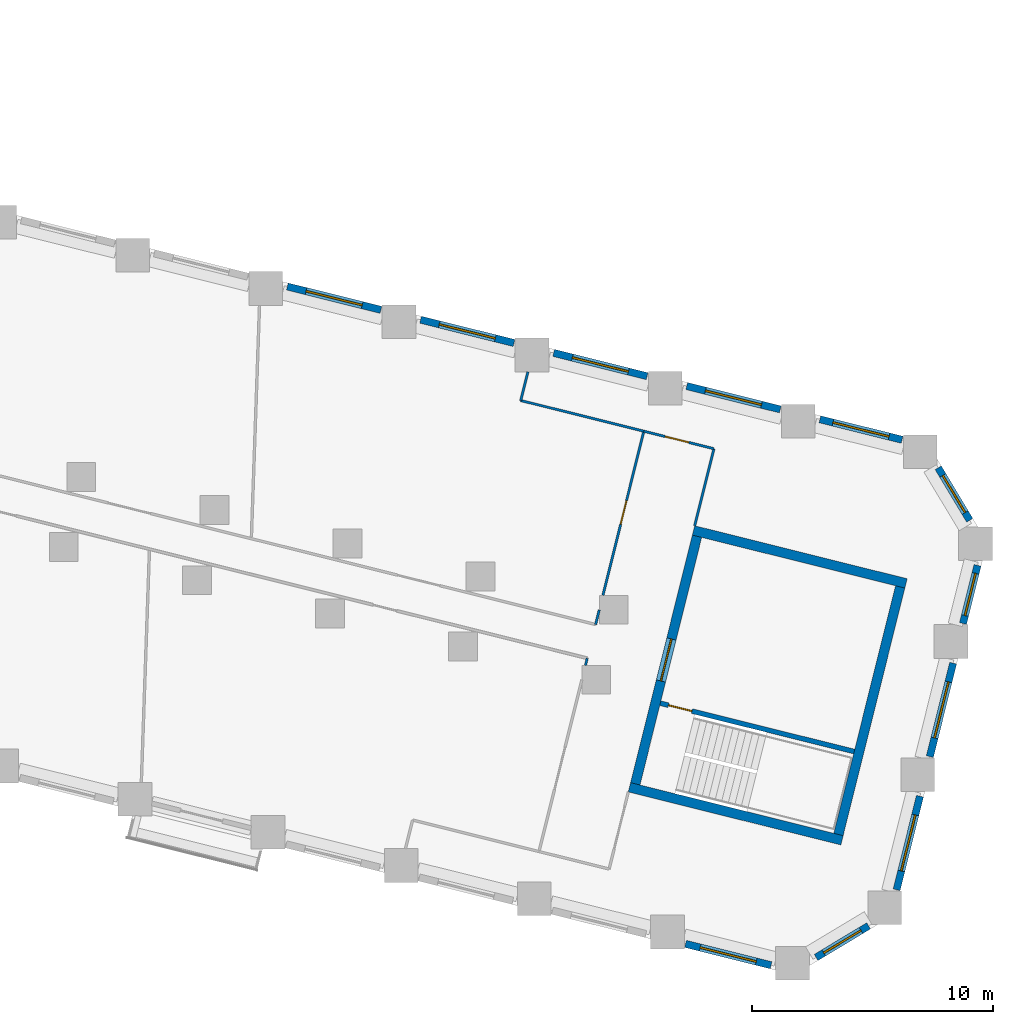
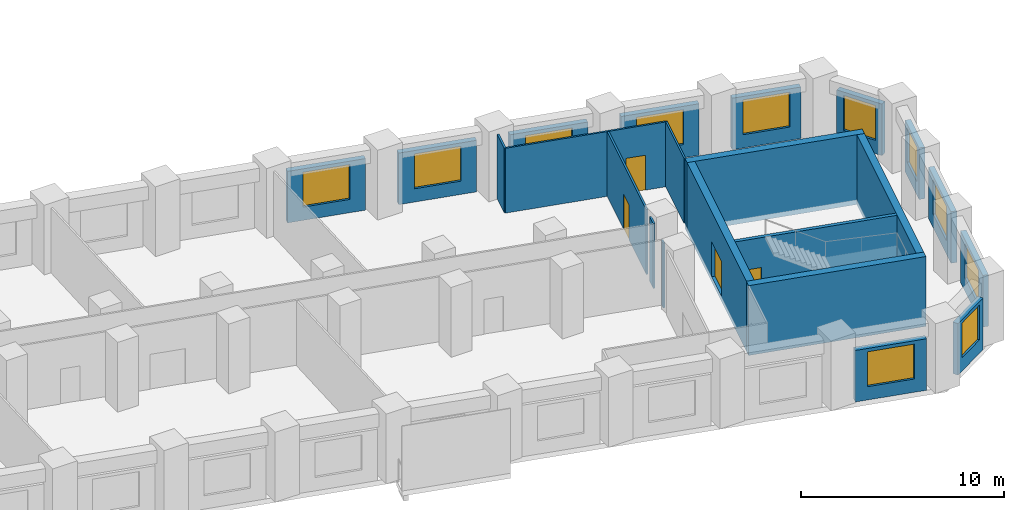
# One storey, part 7 of 11: 23 walls, 11 windows, 4 doors, 15 openings.
"""IFC4 building model written with IfcOpenShell, lengths in metres."""

from ifc_helpers import new_model, si_unit, direction, frame, frame_2d, origin, place, context, subcontext, project, spatial, rectangle, extrude, material, layer, layer_set, type_object, element, fill, save


model = new_model("IFC4")

# Units and contexts
model_context = context("Model", 3, precision=1e-05, world=origin(), true_north=direction((0.0, 1.0)))
body_context = subcontext(model_context, "Body", "Model", "MODEL_VIEW")
ifc_project = project(units=[si_unit("LENGTHUNIT", "METRE"), si_unit("AREAUNIT", "SQUARE_METRE"), si_unit("VOLUMEUNIT", "CUBIC_METRE"), si_unit("PLANEANGLEUNIT", "RADIAN"), si_unit("MASSUNIT", "GRAM", prefix="KILO")], contexts=[model_context])

# Site, building, storey
site_placement = place(None, origin())
site = spatial("IfcSite", under=ifc_project, at=site_placement, CompositionType="ELEMENT")
building_placement = place(site_placement, origin())
building = spatial("IfcBuilding", under=site, at=building_placement, Name="Meshkara Civic Tower", CompositionType="ELEMENT")
storey_placement = place(building_placement, frame((0.0, 0.0, 79.199951171875)))
storey = spatial("IfcBuildingStorey", under=building, at=storey_placement, Name="L17", CompositionType="ELEMENT", Elevation=79.199951171875)

# Walls
ifc_material_1 = material(Name="Corridor wall 100")
ifc_layer_1 = layer(ifc_material_1, 0.10009765625)
ifc_layer_set_1 = layer_set([ifc_layer_1], Name="Corridor wall 100")
wall_type_1 = type_object("IfcWallType", Name="Corridor wall 100", PredefinedType="PARTITIONING", material=ifc_layer_set_1)
wall_1_placement = place(storey_placement, frame((74.35595703125, -7.534912109375, 0.0), z_axis=(0.0, 0.0, 1.0), x_axis=(-0.24082959107, -0.970567415518, 0.0)))
element("IfcWall", 1, at=wall_1_placement, inside=storey, type_object=wall_type_1, Name="L17-W027", PredefinedType="PARTITIONING", context=body_context, shape_type="SweptSolid", body=[
    extrude(rectangle(XDim=0.30322265625, YDim=0.10009765625, at=frame_2d((0.151611328125, 0.0))), origin(), (0.0, 0.0, 1.0), 3.900146484375),
])
wall_2_placement = place(storey_placement, frame((74.85595703125, -5.527099609375, 0.0), z_axis=(0.0, 0.0, 1.0), x_axis=(-0.241982798004, -0.970280539571, 0.0)))
element("IfcWall", 2, at=wall_2_placement, inside=storey, type_object=wall_type_1, Name="L17-W028", PredefinedType="PARTITIONING", context=body_context, shape_type="SweptSolid", body=[
    extrude(rectangle(XDim=0.62353515625, YDim=0.10009765625, at=frame_2d((0.311767578125, 0.0))), origin(), (0.0, 0.0, 1.0), 3.900146484375),
])

# Wall, opening, door
wall_3_placement = place(storey_placement, frame((76.7080078125, 1.89892578125, 0.0), z_axis=(0.0, 0.0, 1.0), x_axis=(-0.241963232294, -0.970285418945, 0.0)))
wall_3 = element("IfcWall", 3, at=wall_3_placement, inside=storey, type_object=wall_type_1, Name="L17-W030", PredefinedType="PARTITIONING", context=body_context, shape_type="SweptSolid", body=[
    extrude(rectangle(XDim=7.025634765625, YDim=0.10009765625, at=frame_2d((3.5126953125, 0.0))), origin(), (0.0, 0.0, 1.0), 3.900146484375),
])
opening_1_placement = place(wall_3_placement, frame((2.97998046875, 0.0, 0.0)))
opening_1 = element("IfcOpeningElement", 4, at=opening_1_placement, cuts=wall_3, Name="Opening L17-D008", PredefinedType="OPENING", context=body_context, shape_type="SweptSolid", body=[
    extrude(rectangle(XDim=1.0, YDim=2.10009765625, at=frame_2d((0.5, 1.050048828125))), frame((0.0, 0.06005859375, 0.0), z_axis=(0.0, -1.0, 0.0), x_axis=(1.0, 0.0, 0.0)), (0.0, 0.0, 1.0), 0.1201171875),
])
ifc_material_2 = material(Name="Door 1000 x 2100")
door_type_1 = type_object("IfcDoorType", Name="Door 1000 x 2100", OperationType="SINGLE_SWING_LEFT", PredefinedType="DOOR", material=ifc_material_2)
door_1_placement = place(opening_1_placement, origin())
door_1 = element("IfcDoor", 5, at=door_1_placement, inside=storey, type_object=door_type_1, Name="L17-D008", OperationType="SINGLE_SWING_RIGHT", OverallHeight=2.10009765625, OverallWidth=1.0, PredefinedType="DOOR", context=body_context, shape_type="SweptSolid", body=[
    extrude(rectangle(XDim=1.0, YDim=2.10009765625, at=frame_2d((0.5, 1.050048828125))), frame((0.0, 0.02490234375, 0.0), z_axis=(0.0, -1.0, 0.0), x_axis=(1.0, 0.0, 0.0)), (0.0, 0.0, 1.0), 0.050048828125),
])
fill(opening_1, door_1)

# Wall
wall_4_placement = place(storey_placement, frame((78.821044921875, -2.029052734375, 0.0), z_axis=(0.0, 0.0, 1.0), x_axis=(0.241769629392, 0.970333677816, 0.0)))
element("IfcWall", 6, at=wall_4_placement, inside=storey, type_object=wall_type_1, Name="L17-W031", PredefinedType="PARTITIONING", context=body_context, shape_type="SweptSolid", body=[
    extrude(rectangle(XDim=3.300048828125, YDim=0.10009765625, at=frame_2d((1.64990234375, 0.0))), origin(), (0.0, 0.0, 1.0), 3.900146484375),
])

# Wall, opening, door
wall_5_placement = place(storey_placement, frame((79.618896484375, 1.173095703125, 0.0), z_axis=(0.0, 0.0, 1.0), x_axis=(-0.970290716908, 0.241941986192, 0.0)))
wall_5 = element("IfcWall", 7, at=wall_5_placement, inside=storey, type_object=wall_type_1, Name="L17-W032", PredefinedType="PARTITIONING", context=body_context, shape_type="SweptSolid", body=[
    extrude(rectangle(XDim=3.0, YDim=0.10009765625, at=frame_2d((1.5, 0.0))), origin(), (0.0, 0.0, 1.0), 3.900146484375),
])
opening_2_placement = place(wall_5_placement, frame((1.080078125, 0.0, 0.0)))
opening_2 = element("IfcOpeningElement", 8, at=opening_2_placement, cuts=wall_5, Name="Opening L17-D012", PredefinedType="OPENING", context=body_context, shape_type="SweptSolid", body=[
    extrude(rectangle(XDim=1.0, YDim=2.10009765625, at=frame_2d((0.5, 1.050048828125))), frame((0.0, 0.06005859375, 0.0), z_axis=(0.0, -1.0, 0.0), x_axis=(1.0, 0.0, 0.0)), (0.0, 0.0, 1.0), 0.1201171875),
])
door_2_placement = place(opening_2_placement, origin())
door_2 = element("IfcDoor", 9, at=door_2_placement, inside=storey, type_object=door_type_1, Name="L17-D012", OperationType="SINGLE_SWING_LEFT", OverallHeight=2.10009765625, OverallWidth=1.0, PredefinedType="DOOR", context=body_context, shape_type="SweptSolid", body=[
    extrude(rectangle(XDim=1.0, YDim=2.10009765625, at=frame_2d((0.5, 1.050048828125))), frame((0.0, 0.02490234375, 0.0), z_axis=(0.0, -1.0, 0.0), x_axis=(1.0, 0.0, 0.0)), (0.0, 0.0, 1.0), 0.050048828125),
])
fill(opening_2, door_2)

# Wall, opening, window
ifc_material_3 = material(Name="Insulated infill panel with bronze anodised aluminium cladding", Category="aluminium")
ifc_layer_2 = layer(ifc_material_3, 0.300048828125)
ifc_layer_set_2 = layer_set([ifc_layer_2], Name="EXTERNAL INFILL WALL 300")
wall_type_2 = type_object("IfcWallType", Name="EXTERNAL INFILL WALL 300", PredefinedType="SOLIDWALL", material=ifc_layer_set_2)
wall_6_placement = place(storey_placement, frame((87.43505859375, 1.54296875, 0.0), z_axis=(0.0, 0.0, 1.0), x_axis=(-0.970289298425, 0.241947674843, 0.0)))
wall_6 = element("IfcWall", 10, at=wall_6_placement, inside=storey, type_object=wall_type_2, Name="External wall", PredefinedType="SOLIDWALL", context=body_context, shape_type="SweptSolid", body=[
    extrude(rectangle(XDim=3.517578125, YDim=0.300048828125, at=frame_2d((1.7587890625, 0.0))), origin(), (0.0, 0.0, 1.0), 3.10009765625),
])
opening_3_placement = place(wall_6_placement, frame((0.55908203125, 0.0, 0.800048828125)))
opening_3 = element("IfcOpeningElement", 11, at=opening_3_placement, cuts=wall_6, Name="Opening W7", PredefinedType="OPENING", context=body_context, shape_type="SweptSolid", body=[
    extrude(rectangle(XDim=2.39990234375, YDim=2.10009765625, at=frame_2d((1.199951171875, 1.050048828125))), frame((0.0, 0.159912109375, 0.0), z_axis=(0.0, -1.0, 0.0), x_axis=(1.0, 0.0, 0.0)), (0.0, 0.0, 1.0), 0.320068359375),
])
ifc_material_4 = material(Name="Tinted double glazing", Category="glass")
window_type_1 = type_object("IfcWindowType", Name="WINDOW 2400x2100", PartitioningType="DOUBLE_PANEL_VERTICAL", PredefinedType="WINDOW", material=ifc_material_4)
window_1_placement = place(opening_3_placement, origin())
window_1 = element("IfcWindow", 12, at=window_1_placement, inside=storey, type_object=window_type_1, Name="Window", OverallHeight=2.10009765625, OverallWidth=2.39990234375, PartitioningType="DOUBLE_PANEL_VERTICAL", PredefinedType="WINDOW", context=body_context, shape_type="SweptSolid", body=[
    extrude(rectangle(XDim=2.39990234375, YDim=2.10009765625, at=frame_2d((1.199951171875, 1.050048828125))), frame((0.0, 0.030029296875, 0.0), z_axis=(0.0, -1.0, 0.0), x_axis=(1.0, 0.0, 0.0)), (0.0, 0.0, 1.0), 0.06005859375),
])
fill(opening_3, window_1)

wall_7_placement = place(storey_placement, frame((82.375, 2.804931640625, 0.0), z_axis=(0.0, 0.0, 1.0), x_axis=(-0.970318045095, 0.24183236211, 0.0)))
wall_7 = element("IfcWall", 13, at=wall_7_placement, inside=storey, type_object=wall_type_2, Name="External wall", PredefinedType="SOLIDWALL", context=body_context, shape_type="SweptSolid", body=[
    extrude(rectangle(XDim=4.0029296875, YDim=0.300048828125, at=frame_2d((2.00146484375, 0.0))), origin(), (0.0, 0.0, 1.0), 3.10009765625),
])
opening_4_placement = place(wall_7_placement, frame((0.802001953125, 0.0, 0.800048828125)))
opening_4 = element("IfcOpeningElement", 14, at=opening_4_placement, cuts=wall_7, Name="Opening W7", PredefinedType="OPENING", context=body_context, shape_type="SweptSolid", body=[
    extrude(rectangle(XDim=2.39990234375, YDim=2.10009765625, at=frame_2d((1.199951171875, 1.050048828125))), frame((0.0, 0.159912109375, 0.0), z_axis=(0.0, -1.0, 0.0), x_axis=(1.0, 0.0, 0.0)), (0.0, 0.0, 1.0), 0.320068359375),
])
window_2_placement = place(opening_4_placement, origin())
window_2 = element("IfcWindow", 15, at=window_2_placement, inside=storey, type_object=window_type_1, Name="Window", OverallHeight=2.10009765625, OverallWidth=2.39990234375, PartitioningType="DOUBLE_PANEL_VERTICAL", PredefinedType="WINDOW", context=body_context, shape_type="SweptSolid", body=[
    extrude(rectangle(XDim=2.39990234375, YDim=2.10009765625, at=frame_2d((1.199951171875, 1.050048828125))), frame((0.0, 0.030029296875, 0.0), z_axis=(0.0, -1.0, 0.0), x_axis=(1.0, 0.0, 0.0)), (0.0, 0.0, 1.0), 0.06005859375),
])
fill(opening_4, window_2)

wall_8_placement = place(storey_placement, frame((76.843994140625, 4.18408203125, 0.0), z_axis=(0.0, 0.0, 1.0), x_axis=(-0.970303772127, 0.241889623168, 0.0)))
wall_8 = element("IfcWall", 16, at=wall_8_placement, inside=storey, type_object=wall_type_2, Name="External wall", PredefinedType="SOLIDWALL", context=body_context, shape_type="SweptSolid", body=[
    extrude(rectangle(XDim=4.001953125, YDim=0.300048828125, at=frame_2d((2.0009765625, 0.0))), origin(), (0.0, 0.0, 1.0), 3.10009765625),
])
opening_5_placement = place(wall_8_placement, frame((0.801025390625, 0.0, 0.800048828125)))
opening_5 = element("IfcOpeningElement", 17, at=opening_5_placement, cuts=wall_8, Name="Opening W7", PredefinedType="OPENING", context=body_context, shape_type="SweptSolid", body=[
    extrude(rectangle(XDim=2.39990234375, YDim=2.10009765625, at=frame_2d((1.199951171875, 1.050048828125))), frame((0.0, 0.159912109375, 0.0), z_axis=(0.0, -1.0, 0.0), x_axis=(1.0, 0.0, 0.0)), (0.0, 0.0, 1.0), 0.320068359375),
])
window_3_placement = place(opening_5_placement, origin())
window_3 = element("IfcWindow", 18, at=window_3_placement, inside=storey, type_object=window_type_1, Name="Window", OverallHeight=2.10009765625, OverallWidth=2.39990234375, PartitioningType="DOUBLE_PANEL_VERTICAL", PredefinedType="WINDOW", context=body_context, shape_type="SweptSolid", body=[
    extrude(rectangle(XDim=2.39990234375, YDim=2.10009765625, at=frame_2d((1.199951171875, 1.050048828125))), frame((0.0, 0.030029296875, 0.0), z_axis=(0.0, -1.0, 0.0), x_axis=(1.0, 0.0, 0.0)), (0.0, 0.0, 1.0), 0.06005859375),
])
fill(opening_5, window_3)

wall_9_placement = place(storey_placement, frame((71.31396484375, 5.56298828125, 0.0), z_axis=(0.0, 0.0, 1.0), x_axis=(-0.970318045095, 0.24183236211, 0.0)))
wall_9 = element("IfcWall", 19, at=wall_9_placement, inside=storey, type_object=wall_type_2, Name="External wall", PredefinedType="SOLIDWALL", context=body_context, shape_type="SweptSolid", body=[
    extrude(rectangle(XDim=4.0029296875, YDim=0.300048828125, at=frame_2d((2.00146484375, 0.0))), origin(), (0.0, 0.0, 1.0), 3.10009765625),
])
opening_6_placement = place(wall_9_placement, frame((0.802001953125, 0.0, 0.800048828125)))
opening_6 = element("IfcOpeningElement", 20, at=opening_6_placement, cuts=wall_9, Name="Opening W7", PredefinedType="OPENING", context=body_context, shape_type="SweptSolid", body=[
    extrude(rectangle(XDim=2.39990234375, YDim=2.10009765625, at=frame_2d((1.199951171875, 1.050048828125))), frame((0.0, 0.159912109375, 0.0), z_axis=(0.0, -1.0, 0.0), x_axis=(1.0, 0.0, 0.0)), (0.0, 0.0, 1.0), 0.320068359375),
])
window_4_placement = place(opening_6_placement, origin())
window_4 = element("IfcWindow", 21, at=window_4_placement, inside=storey, type_object=window_type_1, Name="Window", OverallHeight=2.10009765625, OverallWidth=2.39990234375, PartitioningType="DOUBLE_PANEL_VERTICAL", PredefinedType="WINDOW", context=body_context, shape_type="SweptSolid", body=[
    extrude(rectangle(XDim=2.39990234375, YDim=2.10009765625, at=frame_2d((1.199951171875, 1.050048828125))), frame((0.0, 0.030029296875, 0.0), z_axis=(0.0, -1.0, 0.0), x_axis=(1.0, 0.0, 0.0)), (0.0, 0.0, 1.0), 0.06005859375),
])
fill(opening_6, window_4)

wall_10_placement = place(storey_placement, frame((65.782958984375, 6.94189453125, 0.0), z_axis=(0.0, 0.0, 1.0), x_axis=(-0.970318045095, 0.24183236211, 0.0)))
wall_10 = element("IfcWall", 22, at=wall_10_placement, inside=storey, type_object=wall_type_2, Name="External wall", PredefinedType="SOLIDWALL", context=body_context, shape_type="SweptSolid", body=[
    extrude(rectangle(XDim=4.0029296875, YDim=0.300048828125, at=frame_2d((2.00146484375, 0.0))), origin(), (0.0, 0.0, 1.0), 3.10009765625),
])
opening_7_placement = place(wall_10_placement, frame((0.802001953125, 0.0, 0.800048828125)))
opening_7 = element("IfcOpeningElement", 23, at=opening_7_placement, cuts=wall_10, Name="Opening W7", PredefinedType="OPENING", context=body_context, shape_type="SweptSolid", body=[
    extrude(rectangle(XDim=2.39990234375, YDim=2.10009765625, at=frame_2d((1.199951171875, 1.050048828125))), frame((0.0, 0.159912109375, 0.0), z_axis=(0.0, -1.0, 0.0), x_axis=(1.0, 0.0, 0.0)), (0.0, 0.0, 1.0), 0.320068359375),
])
window_5_placement = place(opening_7_placement, origin())
window_5 = element("IfcWindow", 24, at=window_5_placement, inside=storey, type_object=window_type_1, Name="Window", OverallHeight=2.10009765625, OverallWidth=2.39990234375, PartitioningType="DOUBLE_PANEL_VERTICAL", PredefinedType="WINDOW", context=body_context, shape_type="SweptSolid", body=[
    extrude(rectangle(XDim=2.39990234375, YDim=2.10009765625, at=frame_2d((1.199951171875, 1.050048828125))), frame((0.0, 0.030029296875, 0.0), z_axis=(0.0, -1.0, 0.0), x_axis=(1.0, 0.0, 0.0)), (0.0, 0.0, 1.0), 0.06005859375),
])
fill(opening_7, window_5)

wall_11_placement = place(storey_placement, frame((78.43994140625, -19.402099609375, 0.0), z_axis=(0.0, 0.0, 1.0), x_axis=(0.970271818873, -0.24201776278, 0.0)))
wall_11 = element("IfcWall", 25, at=wall_11_placement, inside=storey, type_object=wall_type_2, Name="External wall", PredefinedType="SOLIDWALL", context=body_context, shape_type="SweptSolid", body=[
    extrude(rectangle(XDim=3.660888671875, YDim=0.300048828125, at=frame_2d((1.83056640625, 0.0))), origin(), (0.0, 0.0, 1.0), 3.10009765625),
])
opening_8_placement = place(wall_11_placement, frame((0.6298828125, 0.0, 0.800048828125)))
opening_8 = element("IfcOpeningElement", 26, at=opening_8_placement, cuts=wall_11, Name="Opening W7", PredefinedType="OPENING", context=body_context, shape_type="SweptSolid", body=[
    extrude(rectangle(XDim=2.39990234375, YDim=2.10009765625, at=frame_2d((1.199951171875, 1.050048828125))), frame((0.0, 0.159912109375, 0.0), z_axis=(0.0, -1.0, 0.0), x_axis=(1.0, 0.0, 0.0)), (0.0, 0.0, 1.0), 0.320068359375),
])
window_6_placement = place(opening_8_placement, origin())
window_6 = element("IfcWindow", 27, at=window_6_placement, inside=storey, type_object=window_type_1, Name="Window", OverallHeight=2.10009765625, OverallWidth=2.39990234375, PartitioningType="DOUBLE_PANEL_VERTICAL", PredefinedType="WINDOW", context=body_context, shape_type="SweptSolid", body=[
    extrude(rectangle(XDim=2.39990234375, YDim=2.10009765625, at=frame_2d((1.199951171875, 1.050048828125))), frame((0.0, 0.030029296875, 0.0), z_axis=(0.0, -1.0, 0.0), x_axis=(1.0, 0.0, 0.0)), (0.0, 0.0, 1.0), 0.06005859375),
])
fill(opening_8, window_6)

wall_12_placement = place(storey_placement, frame((83.865966796875, -19.965087890625, 0.0), z_axis=(0.0, 0.0, 1.0), x_axis=(0.857026568426, 0.515272220299, 0.0)))
wall_12 = element("IfcWall", 28, at=wall_12_placement, inside=storey, type_object=wall_type_2, Name="External wall", PredefinedType="SOLIDWALL", context=body_context, shape_type="SweptSolid", body=[
    extrude(rectangle(XDim=2.54248046875, YDim=0.300048828125, at=frame_2d((1.271240234375, 0.0))), origin(), (0.0, 0.0, 1.0), 3.10009765625),
])
opening_9_placement = place(wall_12_placement, frame((0.37109375, 0.0, 0.800048828125)))
opening_9 = element("IfcOpeningElement", 29, at=opening_9_placement, cuts=wall_12, Name="Opening W9", PredefinedType="OPENING", context=body_context, shape_type="SweptSolid", body=[
    extrude(rectangle(XDim=1.800048828125, YDim=2.10009765625, at=frame_2d((0.89990234375, 1.050048828125))), frame((0.0, 0.159912109375, 0.0), z_axis=(0.0, -1.0, 0.0), x_axis=(1.0, 0.0, 0.0)), (0.0, 0.0, 1.0), 0.320068359375),
])
ifc_material_5 = material(Name="Tinted double glazing", Category="glass")
window_type_2 = type_object("IfcWindowType", Name="WINDOW 1800x2100", PartitioningType="DOUBLE_PANEL_VERTICAL", PredefinedType="WINDOW", material=ifc_material_5)
window_7_placement = place(opening_9_placement, origin())
window_7 = element("IfcWindow", 30, at=window_7_placement, inside=storey, type_object=window_type_2, Name="Window", OverallHeight=2.10009765625, OverallWidth=1.800048828125, PartitioningType="DOUBLE_PANEL_VERTICAL", PredefinedType="WINDOW", context=body_context, shape_type="SweptSolid", body=[
    extrude(rectangle(XDim=1.800048828125, YDim=2.10009765625, at=frame_2d((0.89990234375, 1.050048828125))), frame((0.0, 0.030029296875, 0.0), z_axis=(0.0, -1.0, 0.0), x_axis=(1.0, 0.0, 0.0)), (0.0, 0.0, 1.0), 0.06005859375),
])
fill(opening_9, window_7)

wall_13_placement = place(storey_placement, frame((87.2109375, -17.152099609375, 0.0), z_axis=(0.0, 0.0, 1.0), x_axis=(0.24183236211, 0.970318045095, 0.0)))
wall_13 = element("IfcWall", 31, at=wall_13_placement, inside=storey, type_object=wall_type_2, Name="External wall", PredefinedType="SOLIDWALL", context=body_context, shape_type="SweptSolid", body=[
    extrude(rectangle(XDim=4.0029296875, YDim=0.300048828125, at=frame_2d((2.00146484375, 0.0))), origin(), (0.0, 0.0, 1.0), 3.10009765625),
])
opening_10_placement = place(wall_13_placement, frame((0.802001953125, 0.0, 0.800048828125)))
opening_10 = element("IfcOpeningElement", 32, at=opening_10_placement, cuts=wall_13, Name="Opening W7", PredefinedType="OPENING", context=body_context, shape_type="SweptSolid", body=[
    extrude(rectangle(XDim=2.39990234375, YDim=2.10009765625, at=frame_2d((1.199951171875, 1.050048828125))), frame((0.0, 0.159912109375, 0.0), z_axis=(0.0, -1.0, 0.0), x_axis=(1.0, 0.0, 0.0)), (0.0, 0.0, 1.0), 0.320068359375),
])
window_8_placement = place(opening_10_placement, origin())
window_8 = element("IfcWindow", 33, at=window_8_placement, inside=storey, type_object=window_type_1, Name="Window", OverallHeight=2.10009765625, OverallWidth=2.39990234375, PartitioningType="DOUBLE_PANEL_VERTICAL", PredefinedType="WINDOW", context=body_context, shape_type="SweptSolid", body=[
    extrude(rectangle(XDim=2.39990234375, YDim=2.10009765625, at=frame_2d((1.199951171875, 1.050048828125))), frame((0.0, 0.030029296875, 0.0), z_axis=(0.0, -1.0, 0.0), x_axis=(1.0, 0.0, 0.0)), (0.0, 0.0, 1.0), 0.06005859375),
])
fill(opening_10, window_8)

wall_14_placement = place(storey_placement, frame((88.590087890625, -11.62109375, 0.0), z_axis=(0.0, 0.0, 1.0), x_axis=(0.241889623168, 0.970303772127, 0.0)))
wall_14 = element("IfcWall", 34, at=wall_14_placement, inside=storey, type_object=wall_type_2, Name="External wall", PredefinedType="SOLIDWALL", context=body_context, shape_type="SweptSolid", body=[
    extrude(rectangle(XDim=4.001953125, YDim=0.300048828125, at=frame_2d((2.0009765625, 0.0))), origin(), (0.0, 0.0, 1.0), 3.10009765625),
])
opening_11_placement = place(wall_14_placement, frame((0.801025390625, 0.0, 0.800048828125)))
opening_11 = element("IfcOpeningElement", 35, at=opening_11_placement, cuts=wall_14, Name="Opening W7", PredefinedType="OPENING", context=body_context, shape_type="SweptSolid", body=[
    extrude(rectangle(XDim=2.39990234375, YDim=2.10009765625, at=frame_2d((1.199951171875, 1.050048828125))), frame((0.0, 0.159912109375, 0.0), z_axis=(0.0, -1.0, 0.0), x_axis=(1.0, 0.0, 0.0)), (0.0, 0.0, 1.0), 0.320068359375),
])
window_9_placement = place(opening_11_placement, origin())
window_9 = element("IfcWindow", 36, at=window_9_placement, inside=storey, type_object=window_type_1, Name="Window", OverallHeight=2.10009765625, OverallWidth=2.39990234375, PartitioningType="DOUBLE_PANEL_VERTICAL", PredefinedType="WINDOW", context=body_context, shape_type="SweptSolid", body=[
    extrude(rectangle(XDim=2.39990234375, YDim=2.10009765625, at=frame_2d((1.199951171875, 1.050048828125))), frame((0.0, 0.030029296875, 0.0), z_axis=(0.0, -1.0, 0.0), x_axis=(1.0, 0.0, 0.0)), (0.0, 0.0, 1.0), 0.06005859375),
])
fill(opening_11, window_9)

wall_15_placement = place(storey_placement, frame((89.968994140625, -6.091064453125, 0.0), z_axis=(0.0, 0.0, 1.0), x_axis=(0.241797277733, 0.9703267885, 0.0)))
wall_15 = element("IfcWall", 37, at=wall_15_placement, inside=storey, type_object=wall_type_2, Name="External wall", PredefinedType="SOLIDWALL", context=body_context, shape_type="SweptSolid", body=[
    extrude(rectangle(XDim=2.489990234375, YDim=0.300048828125, at=frame_2d((1.2451171875, 0.0))), origin(), (0.0, 0.0, 1.0), 3.10009765625),
])
opening_12_placement = place(wall_15_placement, frame((0.344970703125, 0.0, 0.800048828125)))
opening_12 = element("IfcOpeningElement", 38, at=opening_12_placement, cuts=wall_15, Name="Opening W9", PredefinedType="OPENING", context=body_context, shape_type="SweptSolid", body=[
    extrude(rectangle(XDim=1.800048828125, YDim=2.10009765625, at=frame_2d((0.89990234375, 1.050048828125))), frame((0.0, 0.159912109375, 0.0), z_axis=(0.0, -1.0, 0.0), x_axis=(1.0, 0.0, 0.0)), (0.0, 0.0, 1.0), 0.320068359375),
])
window_10_placement = place(opening_12_placement, origin())
window_10 = element("IfcWindow", 39, at=window_10_placement, inside=storey, type_object=window_type_2, Name="Window", OverallHeight=2.10009765625, OverallWidth=1.800048828125, PartitioningType="DOUBLE_PANEL_VERTICAL", PredefinedType="WINDOW", context=body_context, shape_type="SweptSolid", body=[
    extrude(rectangle(XDim=1.800048828125, YDim=2.10009765625, at=frame_2d((0.89990234375, 1.050048828125))), frame((0.0, 0.030029296875, 0.0), z_axis=(0.0, -1.0, 0.0), x_axis=(1.0, 0.0, 0.0)), (0.0, 0.0, 1.0), 0.06005859375),
])
fill(opening_12, window_10)

wall_16_placement = place(storey_placement, frame((90.248046875, -1.801025390625, 0.0), z_axis=(0.0, 0.0, 1.0), x_axis=(-0.515441886055, 0.856924536992, 0.0)))
wall_16 = element("IfcWall", 40, at=wall_16_placement, inside=storey, type_object=wall_type_2, Name="External wall", PredefinedType="SOLIDWALL", context=body_context, shape_type="SweptSolid", body=[
    extrude(rectangle(XDim=2.54150390625, YDim=0.300048828125, at=frame_2d((1.270751953125, 0.0))), origin(), (0.0, 0.0, 1.0), 3.10009765625),
])
opening_13_placement = place(wall_16_placement, frame((0.37109375, 0.0, 0.800048828125)))
opening_13 = element("IfcOpeningElement", 41, at=opening_13_placement, cuts=wall_16, Name="Opening W9", PredefinedType="OPENING", context=body_context, shape_type="SweptSolid", body=[
    extrude(rectangle(XDim=1.800048828125, YDim=2.10009765625, at=frame_2d((0.89990234375, 1.050048828125))), frame((0.0, 0.159912109375, 0.0), z_axis=(0.0, -1.0, 0.0), x_axis=(1.0, 0.0, 0.0)), (0.0, 0.0, 1.0), 0.320068359375),
])
window_11_placement = place(opening_13_placement, origin())
window_11 = element("IfcWindow", 42, at=window_11_placement, inside=storey, type_object=window_type_2, Name="Window", OverallHeight=2.10009765625, OverallWidth=1.800048828125, PartitioningType="DOUBLE_PANEL_VERTICAL", PredefinedType="WINDOW", context=body_context, shape_type="SweptSolid", body=[
    extrude(rectangle(XDim=1.800048828125, YDim=2.10009765625, at=frame_2d((0.89990234375, 1.050048828125))), frame((0.0, 0.030029296875, 0.0), z_axis=(0.0, -1.0, 0.0), x_axis=(1.0, 0.0, 0.0)), (0.0, 0.0, 1.0), 0.06005859375),
])
fill(opening_13, window_11)

# Walls
ifc_material_6 = material(Name="Concrete C80", Category="concrete")
ifc_layer_3 = layer(ifc_material_6, 0.39990234375)
ifc_layer_set_3 = layer_set([ifc_layer_3], Name="End core ring wall 400 C80")
wall_type_3 = type_object("IfcWallType", Name="End core ring wall 400 C80", PredefinedType="SHEAR", material=ifc_layer_set_3)
wall_17_placement = place(storey_placement, frame((76.111083984375, -12.89599609375, -0.300048828125), z_axis=(0.0, 0.0, 1.0), x_axis=(0.970311127573, -0.241860115992, 0.0)))
element("IfcWall", 43, at=wall_17_placement, inside=storey, type_object=wall_type_3, Name="L17-C031", PredefinedType="SHEAR", context=body_context, shape_type="SweptSolid", body=[
    extrude(rectangle(XDim=9.10009765625, YDim=0.39990234375, at=frame_2d((4.550048828125, 0.0))), origin(), (0.0, 0.0, 1.0), 4.2001953125),
])
wall_18_placement = place(storey_placement, frame((78.77197265625, -2.222900390625, -0.300048828125), z_axis=(0.0, 0.0, 1.0), x_axis=(0.970306400786, -0.241879078453, 0.0)))
element("IfcWall", 44, at=wall_18_placement, inside=storey, type_object=wall_type_3, Name="L17-C032", PredefinedType="SHEAR", context=body_context, shape_type="SweptSolid", body=[
    extrude(rectangle(XDim=9.100341796875, YDim=0.39990234375, at=frame_2d((4.55029296875, 0.0))), origin(), (0.0, 0.0, 1.0), 4.2001953125),
])

# Wall, opening, door
wall_19_placement = place(storey_placement, frame((76.35302734375, -12.75, -0.300048828125), z_axis=(0.0, 0.0, 1.0), x_axis=(0.241977390218, 0.970281888228, 0.0)))
wall_19 = element("IfcWall", 45, at=wall_19_placement, inside=storey, type_object=wall_type_3, Name="L17-C033", PredefinedType="SHEAR", context=body_context, shape_type="SweptSolid", body=[
    extrude(rectangle(XDim=10.599853515625, YDim=0.39990234375, at=frame_2d((5.2998046875, 0.0))), origin(), (0.0, 0.0, 1.0), 4.2001953125),
])
opening_14_placement = place(wall_19_placement, frame((4.39990234375, 0.0, 0.300048828125)))
opening_14 = element("IfcOpeningElement", 46, at=opening_14_placement, cuts=wall_19, Name="Opening L17-K202", PredefinedType="OPENING", context=body_context, shape_type="SweptSolid", body=[
    extrude(rectangle(XDim=1.800048828125, YDim=2.10009765625, at=frame_2d((0.89990234375, 1.050048828125))), frame((0.0, 0.2099609375, 0.0), z_axis=(0.0, -1.0, 0.0), x_axis=(1.0, 0.0, 0.0)), (0.0, 0.0, 1.0), 0.419921875),
])
ifc_material_7 = material(Name="Fire-rated door leaf in steel frame", Category="steel")
door_type_2 = type_object("IfcDoorType", Name="Core double door 1800 EI 60", OperationType="DOUBLE_DOOR_SINGLE_SWING", PredefinedType="DOOR", material=ifc_material_7)
door_3_placement = place(opening_14_placement, origin())
door_3 = element("IfcDoor", 47, at=door_3_placement, inside=storey, type_object=door_type_2, Name="L17-K202", OperationType="DOUBLE_DOOR_SINGLE_SWING", OverallHeight=2.10009765625, OverallWidth=1.800048828125, PredefinedType="DOOR", context=body_context, shape_type="SweptSolid", body=[
    extrude(rectangle(XDim=1.800048828125, YDim=2.10009765625, at=frame_2d((0.89990234375, 1.050048828125))), frame((0.0, 0.02490234375, 0.0), z_axis=(0.0, -1.0, 0.0), x_axis=(1.0, 0.0, 0.0)), (0.0, 0.0, 1.0), 0.050048828125),
])
fill(opening_14, door_3)

# Walls
wall_20_placement = place(storey_placement, frame((84.794921875, -14.85498046875, -0.300048828125), z_axis=(0.0, 0.0, 1.0), x_axis=(0.241890652548, 0.970303515509, 0.0)))
element("IfcWall", 48, at=wall_20_placement, inside=storey, type_object=wall_type_3, Name="L17-C034", PredefinedType="SHEAR", context=body_context, shape_type="SweptSolid", body=[
    extrude(rectangle(XDim=10.599609375, YDim=0.39990234375, at=frame_2d((5.2998046875, 0.0))), origin(), (0.0, 0.0, 1.0), 4.2001953125),
])
ifc_material_8 = material(Name="Partition 100")
ifc_layer_4 = layer(ifc_material_8, 0.10009765625)
ifc_layer_set_4 = layer_set([ifc_layer_4], Name="Partition 100")
wall_type_4 = type_object("IfcWallType", Name="Partition 100", PredefinedType="PARTITIONING", material=ifc_layer_set_4)
wall_21_placement = place(storey_placement, frame((71.593017578125, 3.174072265625, 0.0), z_axis=(0.0, 0.0, 1.0), x_axis=(0.241693721233, 0.97035258804, 0.0)))
element("IfcWall", 49, at=wall_21_placement, inside=storey, type_object=wall_type_4, Name="L17-W053", PredefinedType="PARTITIONING", context=body_context, shape_type="SweptSolid", body=[
    extrude(rectangle(XDim=1.228271484375, YDim=0.10009765625, at=frame_2d((0.6142578125, 0.0))), origin(), (0.0, 0.0, 1.0), 3.900146484375),
])
wall_22_placement = place(storey_placement, frame((76.7119140625, 1.89794921875, 0.0), z_axis=(0.0, 0.0, 1.0), x_axis=(-0.970302897998, 0.241893129577, 0.0)))
element("IfcWall", 50, at=wall_22_placement, inside=storey, type_object=wall_type_4, Name="L17-W054", PredefinedType="PARTITIONING", context=body_context, shape_type="SweptSolid", body=[
    extrude(rectangle(XDim=5.275634765625, YDim=0.10009765625, at=frame_2d((2.6376953125, 0.0))), origin(), (0.0, 0.0, 1.0), 3.900146484375),
])

# Wall, opening, door
ifc_material_9 = material(Name="Concrete C40/50", Category="concrete")
ifc_layer_5 = layer(ifc_material_9, 0.199951171875)
ifc_layer_set_5 = layer_set([ifc_layer_5], Name="Stair enclosure wall 200 C40/50")
wall_type_5 = type_object("IfcWallType", Name="Stair enclosure wall 200 C40/50", PredefinedType="SOLIDWALL", material=ifc_layer_set_5)
wall_23_placement = place(storey_placement, frame((77.39404296875, -9.403076171875, 0.0), z_axis=(0.0, 0.0, 1.0), x_axis=(0.970303192681, -0.241891947516, 0.0)))
wall_23 = element("IfcWall", 51, at=wall_23_placement, inside=storey, type_object=wall_type_5, Name="L17-C035", PredefinedType="SOLIDWALL", context=body_context, shape_type="SweptSolid", body=[
    extrude(rectangle(XDim=8.300537109375, YDim=0.199951171875, at=frame_2d((4.150390625, 0.0))), origin(), (0.0, 0.0, 1.0), 3.900146484375),
])
opening_15_placement = place(wall_23_placement, frame((0.35009765625, 0.0, 0.0)))
opening_15 = element("IfcOpeningElement", 52, at=opening_15_placement, cuts=wall_23, Name="Opening L17-K201", PredefinedType="OPENING", context=body_context, shape_type="SweptSolid", body=[
    extrude(rectangle(XDim=1.0, YDim=2.10009765625, at=frame_2d((0.5, 1.050048828125))), frame((0.0, 0.10986328125, 0.0), z_axis=(0.0, -1.0, 0.0), x_axis=(1.0, 0.0, 0.0)), (0.0, 0.0, 1.0), 0.219970703125),
])
ifc_material_10 = material(Name="Fire-rated door leaf in steel frame", Category="steel")
door_type_3 = type_object("IfcDoorType", Name="Stair door 1000 EI 120", OperationType="SINGLE_SWING_LEFT", PredefinedType="DOOR", material=ifc_material_10)
door_4_placement = place(opening_15_placement, origin())
door_4 = element("IfcDoor", 53, at=door_4_placement, inside=storey, type_object=door_type_3, Name="L17-K201", OperationType="SINGLE_SWING_LEFT", OverallHeight=2.10009765625, OverallWidth=1.0, PredefinedType="DOOR", context=body_context, shape_type="SweptSolid", body=[
    extrude(rectangle(XDim=1.0, YDim=2.10009765625, at=frame_2d((0.5, 1.050048828125))), frame((0.0, 0.02490234375, 0.0), z_axis=(0.0, -1.0, 0.0), x_axis=(1.0, 0.0, 0.0)), (0.0, 0.0, 1.0), 0.050048828125),
])
fill(opening_15, door_4)

save(model, "model.ifc")
